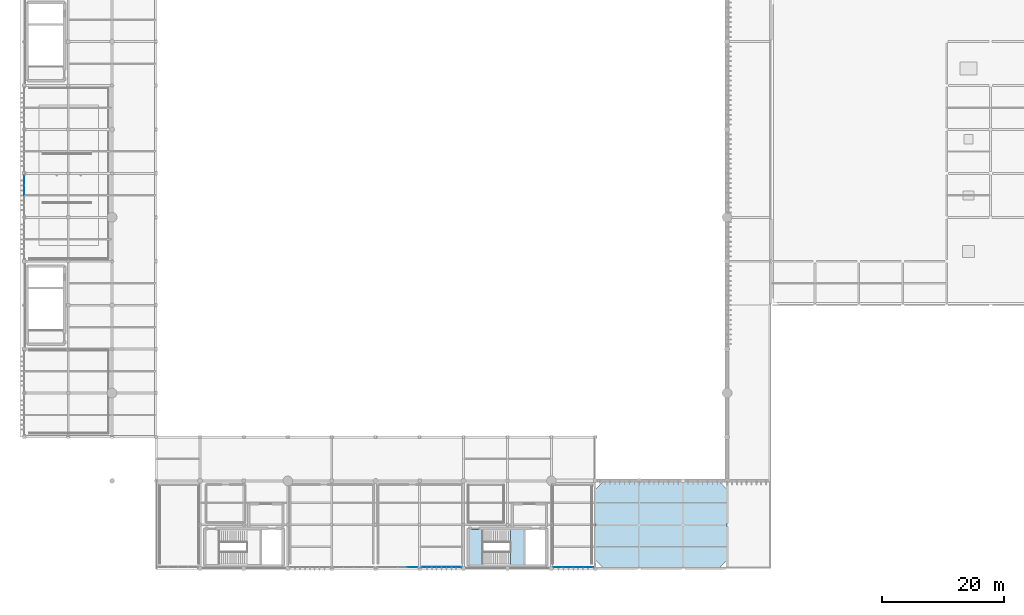
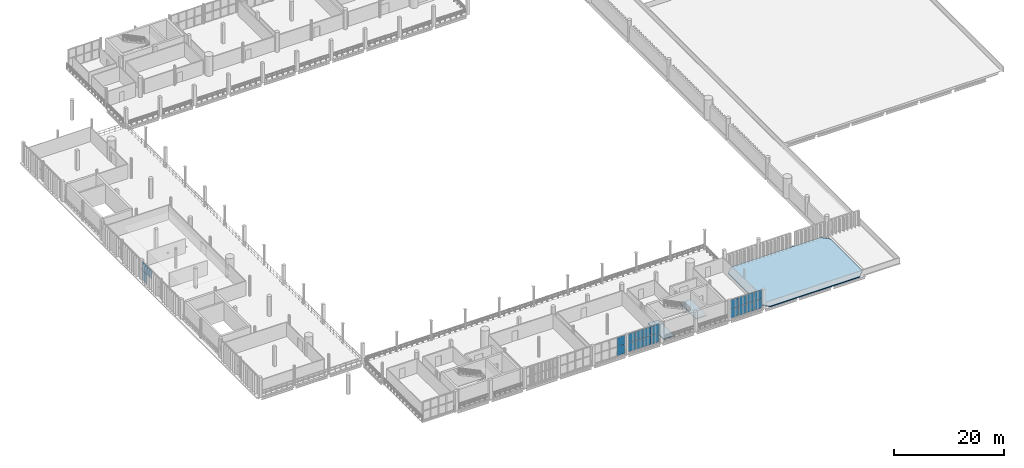
# One storey, part 52 of 81: 21 plates, 3 slabs, 5 elements without a shape of their own.
"""IFC4 building model written with IfcOpenShell, lengths in metres."""

from ifc_helpers import new_model, si_unit, direction, frame, origin, origin_2d, place, context, subcontext, project, spatial, polyline, rectangle, outline, extrude, material, layer, layer_set, type_object, element, aggregate, save


model = new_model("IFC4")

# Units and contexts
model_context = context("Model", 3, precision=1e-05, world=origin(), true_north=direction((0.0, 1.0)))
body_context = subcontext(model_context, "Body", "Model", "MODEL_VIEW")
ifc_project = project(units=[si_unit("LENGTHUNIT", "METRE"), si_unit("AREAUNIT", "SQUARE_METRE"), si_unit("VOLUMEUNIT", "CUBIC_METRE"), si_unit("PLANEANGLEUNIT", "RADIAN"), si_unit("MASSUNIT", "GRAM", prefix="KILO")], contexts=[model_context])

# Site, building, storey
site_placement = place(None, origin())
site = spatial("IfcSite", under=ifc_project, at=site_placement, CompositionType="ELEMENT")
building_placement = place(site_placement, origin())
building = spatial("IfcBuilding", under=site, at=building_placement, Name="Qandorah Velis Arena", CompositionType="ELEMENT")
storey_placement = place(building_placement, frame((0.0, 0.0, 18.60009765625)))
storey = spatial("IfcBuildingStorey", under=building, at=storey_placement, Name="L04", CompositionType="ELEMENT", Elevation=18.60009765625)

# Curtain wall, plates
ifc_material_1 = material(Name="Solar-control low-E double glazing", Category="glass")
curtain_wall_type_1 = type_object("IfcCurtainWallType", Name="ARC-CW-SYS10", PredefinedType="USERDEFINED", material=ifc_material_1)
curtain_wall_1_placement = place(storey_placement, origin())
curtain_wall_1 = element("IfcCurtainWall", 1, at=curtain_wall_1_placement, inside=storey, type_object=curtain_wall_type_1, Name="Unitised curtain wall L04-034", ObjectType="UNITISED CURTAIN WALL", PredefinedType="USERDEFINED")
ifc_layer_1 = layer(ifc_material_1, 0.02392578125)
ifc_layer_set_1 = layer_set([ifc_layer_1], Name="Solar-control low-E double glazing")
plate_type_1 = type_object("IfcPlateType", Name="ARC-CWP-GLZ24", PredefinedType="CURTAIN_PANEL", material=ifc_layer_set_1)
plate_1_placement = place(storey_placement, frame((0.0, 62.02490234375, 2.097412109375), z_axis=(0.0, 0.0, 1.0), x_axis=(0.0, 1.0, 0.0)))
plate_1 = element("IfcPlate", 2, at=plate_1_placement, type_object=plate_type_1, Name="CW10 panel 3.2", PredefinedType="CURTAIN_PANEL", context=body_context, shape_type="SweptSolid", body=[
    extrude(rectangle(XDim=1.60498046875, YDim=0.02392578125, at=origin_2d()), origin(), (0.0, 0.0, 1.0), 1.99755859375),
])
plate_2_placement = place(storey_placement, frame((0.0, 63.65869140625, 0.054931640625), z_axis=(0.0, 0.0, 1.0), x_axis=(0.0, 1.0, 0.0)))
plate_2 = element("IfcPlate", 3, at=plate_2_placement, type_object=plate_type_1, Name="CW10 panel 4.1", PredefinedType="CURTAIN_PANEL", context=body_context, shape_type="SweptSolid", body=[
    extrude(rectangle(XDim=1.572509765625, YDim=0.02392578125, at=origin_2d()), origin(), (0.0, 0.0, 1.0), 1.99755859375),
])
plate_3_placement = place(storey_placement, frame((0.0, 63.65869140625, 2.097412109375), z_axis=(0.0, 0.0, 1.0), x_axis=(0.0, 1.0, 0.0)))
plate_3 = element("IfcPlate", 4, at=plate_3_placement, type_object=plate_type_1, Name="CW10 panel 4.2", PredefinedType="CURTAIN_PANEL", context=body_context, shape_type="SweptSolid", body=[
    extrude(rectangle(XDim=1.572509765625, YDim=0.02392578125, at=origin_2d()), origin(), (0.0, 0.0, 1.0), 1.99755859375),
])
aggregate(curtain_wall_1, [plate_1, plate_2, plate_3])

curtain_wall_type_2 = type_object("IfcCurtainWallType", Name="ARC-CW-SYS06", PredefinedType="USERDEFINED", material=ifc_material_1)
curtain_wall_2_placement = place(storey_placement, origin())
curtain_wall_2 = element("IfcCurtainWall", 5, at=curtain_wall_2_placement, inside=storey, type_object=curtain_wall_type_2, Name="Unitised curtain wall L04-078", ObjectType="UNITISED CURTAIN WALL", PredefinedType="USERDEFINED")
ifc_layer_2 = layer(ifc_material_1, 0.028076171875)
ifc_layer_set_2 = layer_set([ifc_layer_2], Name="Solar-control low-E double glazing")
plate_type_2 = type_object("IfcPlateType", Name="ARC-CWP-GLZ28", PredefinedType="CURTAIN_PANEL", material=ifc_layer_set_2)
plate_4_placement = place(storey_placement, frame((87.541259765625, 0.25, 0.054931640625), z_axis=(0.0, 0.0, 1.0), x_axis=(1.0, 0.0, 0.0)))
plate_4 = element("IfcPlate", 6, at=plate_4_placement, type_object=plate_type_2, Name="CW06 panel 1.1", PredefinedType="CURTAIN_PANEL", context=body_context, shape_type="SweptSolid", body=[
    extrude(rectangle(XDim=1.572509765625, YDim=0.028076171875, at=origin_2d()), origin(), (0.0, 0.0, 1.0), 1.99755859375),
])
plate_5_placement = place(storey_placement, frame((87.541259765625, 0.25, 2.097412109375), z_axis=(0.0, 0.0, 1.0), x_axis=(1.0, 0.0, 0.0)))
plate_5 = element("IfcPlate", 7, at=plate_5_placement, type_object=plate_type_2, Name="CW06 panel 1.2", PredefinedType="CURTAIN_PANEL", context=body_context, shape_type="SweptSolid", body=[
    extrude(rectangle(XDim=1.572509765625, YDim=0.028076171875, at=origin_2d()), origin(), (0.0, 0.0, 1.0), 1.99755859375),
])
plate_6_placement = place(storey_placement, frame((89.175048828125, 0.25, 0.054931640625), z_axis=(0.0, 0.0, 1.0), x_axis=(1.0, 0.0, 0.0)))
plate_6 = element("IfcPlate", 8, at=plate_6_placement, type_object=plate_type_2, Name="CW06 panel 2.1", PredefinedType="CURTAIN_PANEL", context=body_context, shape_type="SweptSolid", body=[
    extrude(rectangle(XDim=1.60498046875, YDim=0.028076171875, at=origin_2d()), origin(), (0.0, 0.0, 1.0), 1.99755859375),
])
plate_7_placement = place(storey_placement, frame((89.175048828125, 0.25, 2.097412109375), z_axis=(0.0, 0.0, 1.0), x_axis=(1.0, 0.0, 0.0)))
plate_7 = element("IfcPlate", 9, at=plate_7_placement, type_object=plate_type_2, Name="CW06 panel 2.2", PredefinedType="CURTAIN_PANEL", context=body_context, shape_type="SweptSolid", body=[
    extrude(rectangle(XDim=1.60498046875, YDim=0.028076171875, at=origin_2d()), origin(), (0.0, 0.0, 1.0), 1.99755859375),
])
plate_8_placement = place(storey_placement, frame((90.824951171875, 0.25, 0.054931640625), z_axis=(0.0, 0.0, 1.0), x_axis=(1.0, 0.0, 0.0)))
plate_8 = element("IfcPlate", 10, at=plate_8_placement, type_object=plate_type_2, Name="CW06 panel 3.1", PredefinedType="CURTAIN_PANEL", context=body_context, shape_type="SweptSolid", body=[
    extrude(rectangle(XDim=1.60498046875, YDim=0.028076171875, at=origin_2d()), origin(), (0.0, 0.0, 1.0), 1.99755859375),
])
plate_9_placement = place(storey_placement, frame((90.824951171875, 0.25, 2.097412109375), z_axis=(0.0, 0.0, 1.0), x_axis=(1.0, 0.0, 0.0)))
plate_9 = element("IfcPlate", 11, at=plate_9_placement, type_object=plate_type_2, Name="CW06 panel 3.2", PredefinedType="CURTAIN_PANEL", context=body_context, shape_type="SweptSolid", body=[
    extrude(rectangle(XDim=1.60498046875, YDim=0.028076171875, at=origin_2d()), origin(), (0.0, 0.0, 1.0), 1.99755859375),
])
plate_10_placement = place(storey_placement, frame((92.458740234375, 0.25, 0.054931640625), z_axis=(0.0, 0.0, 1.0), x_axis=(1.0, 0.0, 0.0)))
plate_10 = element("IfcPlate", 12, at=plate_10_placement, type_object=plate_type_2, Name="CW06 panel 4.1", PredefinedType="CURTAIN_PANEL", context=body_context, shape_type="SweptSolid", body=[
    extrude(rectangle(XDim=1.572509765625, YDim=0.028076171875, at=origin_2d()), origin(), (0.0, 0.0, 1.0), 1.99755859375),
])
plate_11_placement = place(storey_placement, frame((92.458740234375, 0.25, 2.097412109375), z_axis=(0.0, 0.0, 1.0), x_axis=(1.0, 0.0, 0.0)))
plate_11 = element("IfcPlate", 13, at=plate_11_placement, type_object=plate_type_2, Name="CW06 panel 4.2", PredefinedType="CURTAIN_PANEL", context=body_context, shape_type="SweptSolid", body=[
    extrude(rectangle(XDim=1.572509765625, YDim=0.028076171875, at=origin_2d()), origin(), (0.0, 0.0, 1.0), 1.99755859375),
])
aggregate(curtain_wall_2, [plate_4, plate_5, plate_6, plate_7, plate_8, plate_9, plate_10, plate_11])

curtain_wall_type_3 = type_object("IfcCurtainWallType", Name="ARC-CW-SYS05", PredefinedType="USERDEFINED", material=ifc_material_1)
curtain_wall_3_placement = place(storey_placement, origin())
curtain_wall_3 = element("IfcCurtainWall", 14, at=curtain_wall_3_placement, inside=storey, type_object=curtain_wall_type_3, Name="Unitised curtain wall L04-077", ObjectType="UNITISED CURTAIN WALL", PredefinedType="USERDEFINED")
ifc_layer_3 = layer(ifc_material_1, 0.030029296875)
ifc_layer_set_3 = layer_set([ifc_layer_3], Name="Solar-control low-E double glazing")
plate_type_3 = type_object("IfcPlateType", Name="ARC-CWP-GLZ30", PredefinedType="CURTAIN_PANEL", material=ifc_layer_set_3)
plate_12_placement = place(storey_placement, frame((65.94384765625, 0.25, 0.06494140625), z_axis=(0.0, 0.0, 1.0), x_axis=(1.0, 0.0, 0.0)))
plate_12 = element("IfcPlate", 15, at=plate_12_placement, type_object=plate_type_3, Name="CW05 panel 1.1", PredefinedType="CURTAIN_PANEL", context=body_context, shape_type="SweptSolid", body=[
    extrude(rectangle(XDim=1.5576171875, YDim=0.030029296875, at=origin_2d()), origin(), (0.0, 0.0, 1.0), 1.982421875),
])
plate_13_placement = place(storey_placement, frame((65.94384765625, 0.25, 2.1025390625), z_axis=(0.0, 0.0, 1.0), x_axis=(1.0, 0.0, 0.0)))
plate_13 = element("IfcPlate", 16, at=plate_13_placement, type_object=plate_type_3, Name="CW05 panel 1.2", PredefinedType="CURTAIN_PANEL", context=body_context, shape_type="SweptSolid", body=[
    extrude(rectangle(XDim=1.5576171875, YDim=0.030029296875, at=origin_2d()), origin(), (0.0, 0.0, 1.0), 1.982421875),
])
plate_14_placement = place(storey_placement, frame((67.574951171875, 0.25, 0.06494140625), z_axis=(0.0, 0.0, 1.0), x_axis=(1.0, 0.0, 0.0)))
plate_14 = element("IfcPlate", 17, at=plate_14_placement, type_object=plate_type_3, Name="CW05 panel 2.1", PredefinedType="CURTAIN_PANEL", context=body_context, shape_type="SweptSolid", body=[
    extrude(rectangle(XDim=1.594970703125, YDim=0.030029296875, at=origin_2d()), origin(), (0.0, 0.0, 1.0), 1.982421875),
])
plate_15_placement = place(storey_placement, frame((67.574951171875, 0.25, 2.1025390625), z_axis=(0.0, 0.0, 1.0), x_axis=(1.0, 0.0, 0.0)))
plate_15 = element("IfcPlate", 18, at=plate_15_placement, type_object=plate_type_3, Name="CW05 panel 2.2", PredefinedType="CURTAIN_PANEL", context=body_context, shape_type="SweptSolid", body=[
    extrude(rectangle(XDim=1.594970703125, YDim=0.030029296875, at=origin_2d()), origin(), (0.0, 0.0, 1.0), 1.982421875),
])
plate_16_placement = place(storey_placement, frame((69.22509765625, 0.25, 0.06494140625), z_axis=(0.0, 0.0, 1.0), x_axis=(1.0, 0.0, 0.0)))
plate_16 = element("IfcPlate", 19, at=plate_16_placement, type_object=plate_type_3, Name="CW05 panel 3.1", PredefinedType="CURTAIN_PANEL", context=body_context, shape_type="SweptSolid", body=[
    extrude(rectangle(XDim=1.594970703125, YDim=0.030029296875, at=origin_2d()), origin(), (0.0, 0.0, 1.0), 1.982421875),
])
plate_17_placement = place(storey_placement, frame((69.22509765625, 0.25, 2.1025390625), z_axis=(0.0, 0.0, 1.0), x_axis=(1.0, 0.0, 0.0)))
plate_17 = element("IfcPlate", 20, at=plate_17_placement, type_object=plate_type_3, Name="CW05 panel 3.2", PredefinedType="CURTAIN_PANEL", context=body_context, shape_type="SweptSolid", body=[
    extrude(rectangle(XDim=1.594970703125, YDim=0.030029296875, at=origin_2d()), origin(), (0.0, 0.0, 1.0), 1.982421875),
])
plate_18_placement = place(storey_placement, frame((70.856201171875, 0.25, 0.06494140625), z_axis=(0.0, 0.0, 1.0), x_axis=(1.0, 0.0, 0.0)))
plate_18 = element("IfcPlate", 21, at=plate_18_placement, type_object=plate_type_3, Name="CW05 panel 4.1", PredefinedType="CURTAIN_PANEL", context=body_context, shape_type="SweptSolid", body=[
    extrude(rectangle(XDim=1.5576171875, YDim=0.030029296875, at=origin_2d()), origin(), (0.0, 0.0, 1.0), 1.982421875),
])
plate_19_placement = place(storey_placement, frame((70.856201171875, 0.25, 2.1025390625), z_axis=(0.0, 0.0, 1.0), x_axis=(1.0, 0.0, 0.0)))
plate_19 = element("IfcPlate", 22, at=plate_19_placement, type_object=plate_type_3, Name="CW05 panel 4.2", PredefinedType="CURTAIN_PANEL", context=body_context, shape_type="SweptSolid", body=[
    extrude(rectangle(XDim=1.5576171875, YDim=0.030029296875, at=origin_2d()), origin(), (0.0, 0.0, 1.0), 1.982421875),
])
aggregate(curtain_wall_3, [plate_12, plate_13, plate_14, plate_15, plate_16, plate_17, plate_18, plate_19])

curtain_wall_type_4 = type_object("IfcCurtainWallType", Name="ARC-CW-SYS04", PredefinedType="USERDEFINED", material=ifc_material_1)
curtain_wall_4_placement = place(storey_placement, origin())
curtain_wall_4 = element("IfcCurtainWall", 23, at=curtain_wall_4_placement, inside=storey, type_object=curtain_wall_type_4, Name="Unitised curtain wall L04-076", ObjectType="UNITISED CURTAIN WALL", PredefinedType="USERDEFINED")
ifc_layer_4 = layer(ifc_material_1, 0.035888671875)
ifc_layer_set_4 = layer_set([ifc_layer_4], Name="Solar-control low-E double glazing")
plate_type_4 = type_object("IfcPlateType", Name="ARC-CWP-GLZ36", PredefinedType="CURTAIN_PANEL", material=ifc_layer_set_4)
plate_20_placement = place(storey_placement, frame((63.6611328125, 0.25, 0.044921875), z_axis=(0.0, 0.0, 1.0), x_axis=(1.0, 0.0, 0.0)))
plate_20 = element("IfcPlate", 24, at=plate_20_placement, type_object=plate_type_4, Name="CW04 panel 4.1", PredefinedType="CURTAIN_PANEL", context=body_context, shape_type="SweptSolid", body=[
    extrude(rectangle(XDim=1.58740234375, YDim=0.035888671875, at=origin_2d()), origin(), (0.0, 0.0, 1.0), 2.012451171875),
])
plate_21_placement = place(storey_placement, frame((63.6611328125, 0.25, 2.09228515625), z_axis=(0.0, 0.0, 1.0), x_axis=(1.0, 0.0, 0.0)))
plate_21 = element("IfcPlate", 25, at=plate_21_placement, type_object=plate_type_4, Name="CW04 panel 4.2", PredefinedType="CURTAIN_PANEL", context=body_context, shape_type="SweptSolid", body=[
    extrude(rectangle(XDim=1.58740234375, YDim=0.035888671875, at=origin_2d()), origin(), (0.0, 0.0, 1.0), 2.012451171875),
])
aggregate(curtain_wall_4, [plate_20, plate_21])

# Slab
ifc_material_2 = material(Name="Concrete C40/50", Category="concrete")
ifc_layer_5 = layer(ifc_material_2, 0.219970703125)
ifc_layer_set_5 = layer_set([ifc_layer_5], Name="Concrete C40/50")
slab_type_1 = type_object("IfcSlabType", Name="STR-SLB-LND220", PredefinedType="LANDING", material=ifc_layer_set_5)
slab_1_placement = place(storey_placement, frame((0.0, 0.0, -0.22021484375)))
element("IfcSlab", 26, at=slab_1_placement, inside=storey, type_object=slab_type_1, Name="Stair ST2 storey landing slab L04", PredefinedType="LANDING", context=body_context, shape_type="SweptSolid", body=[
    extrude(outline(polyline([(72.949951171875, 0.64990234375), (75.14990234375, 0.64990234375), (75.14990234375, 6.449951171875), (72.949951171875, 6.449951171875), (72.949951171875, 0.64990234375)])), origin(), (0.0, 0.0, 1.0), 0.22021484375),
])

# Stair, slab
stair_type = type_object("IfcStairType", Name="ARC-ST-CORE44", PredefinedType="HALF_TURN_STAIR", material=ifc_material_2)
stair_placement = place(storey_placement, origin())
stair = element("IfcStair", 27, at=stair_placement, inside=storey, type_object=stair_type, Name="Protected exit stair ST2 (L04)", PredefinedType="HALF_TURN_STAIR")
slab_2_placement = place(storey_placement, frame((0.0, 0.0, 1.97998046875)))
slab_2 = element("IfcSlab", 28, at=slab_2_placement, type_object=slab_type_1, Name="ST2 landing 1", PredefinedType="LANDING", context=body_context, shape_type="SweptSolid", body=[
    extrude(outline(polyline([(79.68603515625, 0.64990234375), (81.93603515625, 0.64990234375), (81.93603515625, 6.449951171875), (79.68603515625, 6.449951171875), (79.68603515625, 0.64990234375)])), origin(), (0.0, 0.0, 1.0), 0.219970703125),
])
aggregate(stair, [slab_2])

# Slab
ifc_layer_6 = layer(ifc_material_2, 0.219970703125)
ifc_layer_set_6 = layer_set([ifc_layer_6], Name="Concrete C40/50")
slab_type_2 = type_object("IfcSlabType", Name="STR-SLB-RF220", PredefinedType="ROOF", material=ifc_layer_set_6)
slab_3_placement = place(storey_placement, frame((0.0, 0.0, -0.22021484375)))
element("IfcSlab", 29, at=slab_3_placement, inside=storey, type_object=slab_type_2, Name="Roof slab SLB-ROOF-SE-SHLD", PredefinedType="ROOF", context=body_context, shape_type="SweptSolid", body=[
    extrude(outline(polyline([(95.0, 0.0), (113.800048828125, 0.0), (115.199951171875, 1.39990234375), (115.199951171875, 13.0), (113.800048828125, 14.39990234375), (95.0, 14.39990234375), (93.60009765625, 13.0), (93.60009765625, 1.39990234375), (95.0, 0.0)])), origin(), (0.0, 0.0, 1.0), 0.22021484375),
])

save(model, "model.ifc")
